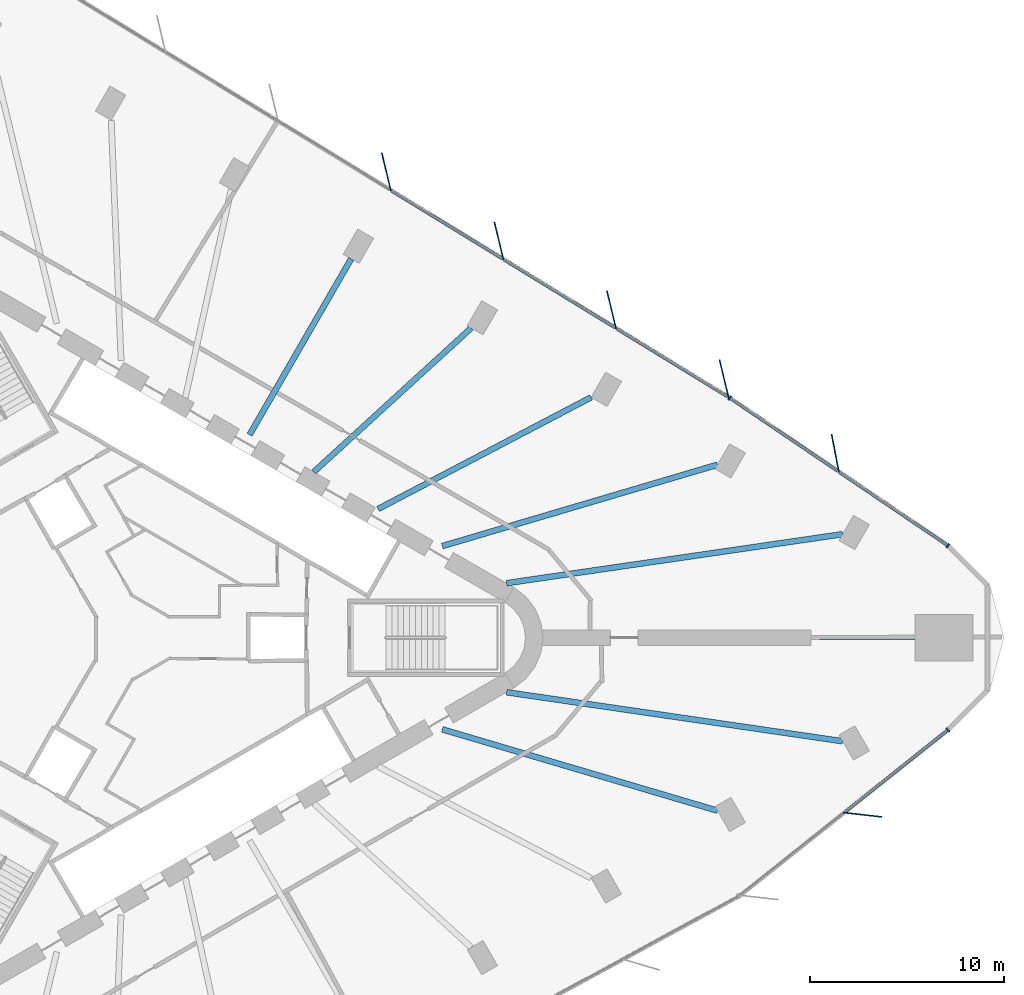
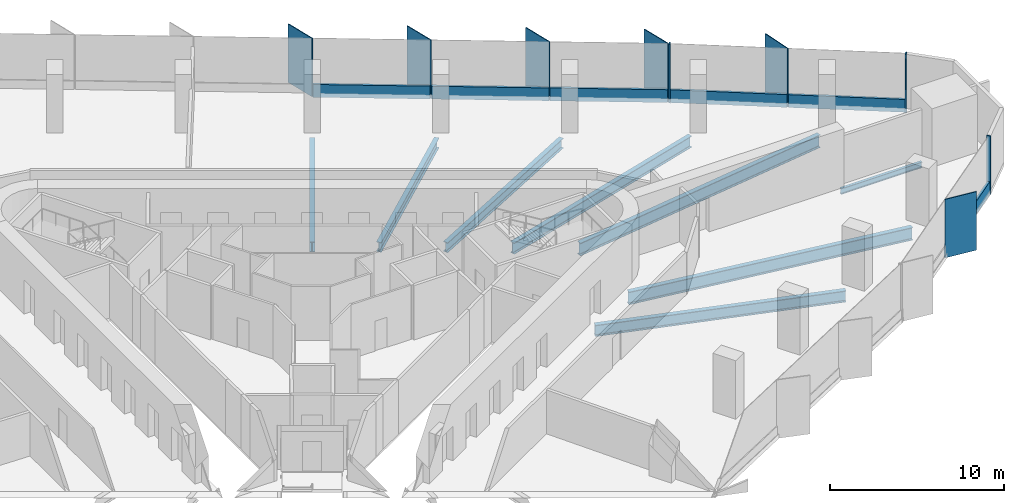
# One storey, part 5 of 13: 15 members, 8 beams, 3 elements without a shape of their own.
"""IFC4 building model written with IfcOpenShell, lengths in metres."""

from ifc_helpers import new_model, si_unit, direction, frame, origin, origin_2d, place, context, subcontext, project, spatial, rectangle, i_section, extrude, material, material_profile, profile_set, type_object, element, aggregate, save


model = new_model("IFC4")

# Units and contexts
model_context = context("Model", 3, precision=1e-05, world=origin(), true_north=direction((0.0, 1.0)))
body_context = subcontext(model_context, "Body", "Model", "MODEL_VIEW")
ifc_project = project(units=[si_unit("LENGTHUNIT", "METRE"), si_unit("AREAUNIT", "SQUARE_METRE"), si_unit("VOLUMEUNIT", "CUBIC_METRE"), si_unit("PLANEANGLEUNIT", "RADIAN"), si_unit("MASSUNIT", "GRAM", prefix="KILO")], contexts=[model_context])

# Site, building, storey
site_placement = place(None, origin())
site = spatial("IfcSite", under=ifc_project, at=site_placement, CompositionType="ELEMENT")
building_placement = place(site_placement, origin())
building = spatial("IfcBuilding", under=site, at=building_placement, Name="Tanit Gate Tower", CompositionType="ELEMENT")
storey_placement = place(building_placement, frame((0.0, 0.0, 66.0)))
storey = spatial("IfcBuildingStorey", under=building, at=storey_placement, Name="L12", CompositionType="ELEMENT", Elevation=66.0)

# Curtain wall, member
ifc_material_1 = material(Name="Aluminium bronze anodised and glass", Category="aluminium")
curtain_wall_type = type_object("IfcCurtainWallType", Name="Curtain wall typical low", PredefinedType="NOTDEFINED", material=ifc_material_1)
curtain_wall_1_placement = place(storey_placement, origin())
curtain_wall_1 = element("IfcCurtainWall", 1, at=curtain_wall_1_placement, inside=storey, type_object=curtain_wall_type, Name="Curtain wall L12 NE1", PredefinedType="NOTDEFINED")
ifc_material_2 = material(Name="Aluminium bronze anodised", Category="aluminium")
ifc_material_profile_1 = material_profile(ifc_material_2, rectangle(XDim=2.0, YDim=0.055908203125, at=origin_2d()), Name="56x2000 bronze fin mullion")
ifc_profile_set_1 = profile_set([ifc_material_profile_1], Name="Aluminium bronze anodised")
member_type_1 = type_object("IfcMemberType", Name="FIN MULLION 56x2000 bronze", PredefinedType="MULLION", material=ifc_profile_set_1)
member_1_placement = place(storey_placement, frame((36.299072265625, 9.5302734375, -0.300048828125), z_axis=(0.0, 0.0, 1.0), x_axis=(0.189172819388, -0.981943809189, 0.0)))
member_1 = element("IfcMember", 2, at=member_1_placement, type_object=member_type_1, Name="Fin mullion L12 NE1.2", PredefinedType="MULLION", context=body_context, shape_type="SweptSolid", body=[
    extrude(rectangle(XDim=2.0, YDim=0.055908203125, at=origin_2d()), origin(), (0.0, 0.0, 1.0), 4.10009765625),
])

# Curtain wall, members
curtain_wall_2_placement = place(storey_placement, origin())
curtain_wall_2 = element("IfcCurtainWall", 3, at=curtain_wall_2_placement, inside=storey, type_object=curtain_wall_type, Name="Curtain wall L12 NE2", PredefinedType="NOTDEFINED")
member_2_placement = place(storey_placement, frame((30.55615234375, 13.376708984375, -0.300048828125), z_axis=(0.0, 0.0, 1.0), x_axis=(0.233691416098, -0.972310815553, 0.0)))
member_2 = element("IfcMember", 4, at=member_2_placement, type_object=member_type_1, Name="Fin mullion L12 NE2.1", PredefinedType="MULLION", context=body_context, shape_type="SweptSolid", body=[
    extrude(rectangle(XDim=2.0, YDim=0.055908203125, at=origin_2d()), origin(), (0.0, 0.0, 1.0), 4.10009765625),
])
member_3_placement = place(storey_placement, frame((24.7421875, 16.9375, -0.300048828125), z_axis=(0.0, 0.0, 1.0), x_axis=(0.233691416098, -0.972310815553, 0.0)))
member_3 = element("IfcMember", 5, at=member_3_placement, type_object=member_type_1, Name="Fin mullion L12 NE2.2", PredefinedType="MULLION", context=body_context, shape_type="SweptSolid", body=[
    extrude(rectangle(XDim=2.0, YDim=0.055908203125, at=origin_2d()), origin(), (0.0, 0.0, 1.0), 4.10009765625),
])
member_4_placement = place(storey_placement, frame((18.92822265625, 20.498291015625, -0.300048828125), z_axis=(0.0, 0.0, 1.0), x_axis=(0.233691416098, -0.972310815553, 0.0)))
member_4 = element("IfcMember", 6, at=member_4_placement, type_object=member_type_1, Name="Fin mullion L12 NE2.3", PredefinedType="MULLION", context=body_context, shape_type="SweptSolid", body=[
    extrude(rectangle(XDim=2.0, YDim=0.055908203125, at=origin_2d()), origin(), (0.0, 0.0, 1.0), 4.10009765625),
])
member_5_placement = place(storey_placement, frame((13.1142578125, 24.05908203125, -0.300048828125), z_axis=(0.0, 0.0, 1.0), x_axis=(0.233691416098, -0.972310815553, 0.0)))
member_5 = element("IfcMember", 7, at=member_5_placement, type_object=member_type_1, Name="Fin mullion L12 NE2.4", PredefinedType="MULLION", context=body_context, shape_type="SweptSolid", body=[
    extrude(rectangle(XDim=2.0, YDim=0.055908203125, at=origin_2d()), origin(), (0.0, 0.0, 1.0), 4.10009765625),
])

# Curtain wall, member
curtain_wall_3_placement = place(storey_placement, origin())
curtain_wall_3 = element("IfcCurtainWall", 8, at=curtain_wall_3_placement, inside=storey, type_object=curtain_wall_type, Name="Curtain wall L12 SE3", PredefinedType="NOTDEFINED")
member_6_placement = place(storey_placement, frame((37.71826171875, -9.143310546875, -0.300048828125), z_axis=(0.0, 0.0, 1.0), x_axis=(-0.993566182952, 0.113252991549, 0.0)))
member_6 = element("IfcMember", 9, at=member_6_placement, type_object=member_type_1, Name="Fin mullion L12 SE3.2", PredefinedType="MULLION", context=body_context, shape_type="SweptSolid", body=[
    extrude(rectangle(XDim=2.0, YDim=0.055908203125, at=origin_2d()), origin(), (0.0, 0.0, 1.0), 4.10009765625),
])

# Member
ifc_material_3 = material(Name="Aluminium bronze anodised", Category="aluminium")
ifc_material_profile_2 = material_profile(ifc_material_3, rectangle(XDim=0.239990234375, YDim=0.080078125, at=origin_2d()), Name="80x240 bronze mullion")
ifc_profile_set_2 = profile_set([ifc_material_profile_2], Name="Aluminium bronze anodised")
member_type_2 = type_object("IfcMemberType", Name="Mullion 80x240 typical low", PredefinedType="MULLION", material=ifc_profile_set_2)
member_7_placement = place(storey_placement, frame((42.115966796875, 4.758056640625, -0.300048828125), z_axis=(0.0, 0.0, 1.0), x_axis=(-0.560573742816, -0.828104509627, 0.0)))
member_7 = element("IfcMember", 10, at=member_7_placement, type_object=member_type_2, Name="Mullion L12 NE1.1", PredefinedType="MULLION", context=body_context, shape_type="SweptSolid", body=[
    extrude(rectangle(XDim=0.239990234375, YDim=0.080078125, at=origin_2d()), origin(), (0.0, 0.0, 1.0), 4.10009765625),
])

member_8_placement = place(storey_placement, frame((30.8515625, 12.38330078125, -0.300048828125), z_axis=(0.0, 0.0, 1.0), x_axis=(-0.560573742816, -0.828104509627, 0.0)))
member_8 = element("IfcMember", 11, at=member_8_placement, type_object=member_type_2, Name="Mullion L12 NE1.3", PredefinedType="MULLION", context=body_context, shape_type="SweptSolid", body=[
    extrude(rectangle(XDim=0.239990234375, YDim=0.080078125, at=origin_2d()), origin(), (0.0, 0.0, 1.0), 4.10009765625),
])

member_9_placement = place(storey_placement, frame((42.114501953125, -4.763671875, -0.300048828125), z_axis=(0.0, 0.0, 1.0), x_axis=(-0.622475427209, 0.782639343837, 0.0)))
member_9 = element("IfcMember", 12, at=member_9_placement, type_object=member_type_2, Name="Mullion L12 SE3.3", PredefinedType="MULLION", context=body_context, shape_type="SweptSolid", body=[
    extrude(rectangle(XDim=0.239990234375, YDim=0.080078125, at=origin_2d()), origin(), (0.0, 0.0, 1.0), 4.10009765625),
])

# Beams
ifc_material_4 = material(Name="Steel S355", Category="steel")
ifc_material_profile_3 = material_profile(ifc_material_4, i_section(OverallWidth=0.300048828125, OverallDepth=0.68994140625, WebThickness=0.014404296875, FlangeThickness=0.027099609375, FilletRadius=0.027099609375, at=origin_2d()), Name="HEA 700")
ifc_profile_set_3 = profile_set([ifc_material_profile_3], Name="Steel S355")
beam_type_1 = type_object("IfcBeamType", Name="RADIAL GIRDER HEA 700 S355", PredefinedType="BEAM", material=ifc_profile_set_3)
beam_1_placement = place(storey_placement, frame((23.688232421875, 12.413330078125, -0.64501953125), z_axis=(-0.885753028524, -0.464156840368, 0.0), x_axis=(0.464156840368, -0.885753028524, 0.0)))
element("IfcBeam", 13, at=beam_1_placement, inside=storey, type_object=beam_type_1, Name="RADIAL GIRDER", PredefinedType="BEAM", context=body_context, shape_type="SweptSolid", body=[
    extrude(i_section(OverallWidth=0.300048828125, OverallDepth=0.68994140625, WebThickness=0.014404296875, FlangeThickness=0.027099609375, FilletRadius=0.027099609375, at=origin_2d()), origin(), (0.0, 0.0, 1.0), 12.419189453125),
])
beam_2_placement = place(storey_placement, frame((17.492919921875, 15.990478515625, -0.64501953125), z_axis=(-0.738094457914, -0.674697392315, 0.0), x_axis=(0.674697392315, -0.738094457914, 0.0)))
element("IfcBeam", 14, at=beam_2_placement, inside=storey, type_object=beam_type_1, Name="RADIAL GIRDER", PredefinedType="BEAM", context=body_context, shape_type="SweptSolid", body=[
    extrude(i_section(OverallWidth=0.300048828125, OverallDepth=0.68994140625, WebThickness=0.014404296875, FlangeThickness=0.027099609375, FilletRadius=0.027099609375, at=origin_2d()), origin(), (0.0, 0.0, 1.0), 11.006103515625),
])
beam_3_placement = place(storey_placement, frame((11.29736328125, 19.5673828125, -0.64501953125), z_axis=(-0.500010476433, -0.866019355129, 0.0), x_axis=(0.866019355129, -0.500010476433, 0.0)))
element("IfcBeam", 15, at=beam_3_placement, inside=storey, type_object=beam_type_1, Name="RADIAL GIRDER", PredefinedType="BEAM", context=body_context, shape_type="SweptSolid", body=[
    extrude(i_section(OverallWidth=0.300048828125, OverallDepth=0.68994140625, WebThickness=0.014404296875, FlangeThickness=0.027099609375, FilletRadius=0.027099609375, at=origin_2d()), origin(), (0.0, 0.0, 1.0), 10.492431640625),
])
ifc_material_5 = material(Name="Steel S355", Category="steel")
ifc_material_profile_4 = material_profile(ifc_material_5, i_section(OverallWidth=0.300048828125, OverallDepth=0.7900390625, WebThickness=0.014892578125, FlangeThickness=0.028076171875, FilletRadius=0.030029296875, at=origin_2d()), Name="HEA 800")
ifc_profile_set_4 = profile_set([ifc_material_profile_4], Name="Steel S355")
beam_type_2 = type_object("IfcBeamType", Name="RADIAL GIRDER HEA 800 S355", PredefinedType="BEAM", material=ifc_profile_set_4)
for number, where, z_axis, x_axis, name in (
    (16, (30.21435546875, -8.93408203125, -0.695068359375), (-0.958956219652, 0.283554172585, 0.0), (-0.283554172585, -0.958956219652, 0.0), "RADIAL GIRDER"),
    (17, (30.21435546875, 8.93408203125, -0.695068359375), (-0.958956219652, -0.283554172585, 0.0), (0.283554172585, -0.958956219652, 0.0), "RADIAL GIRDER"),
):
    element("IfcBeam", number, at=place(storey_placement, frame(where, z_axis=z_axis, x_axis=x_axis)), inside=storey, type_object=beam_type_2, Name=name, PredefinedType="BEAM", context=body_context, shape_type="SweptSolid", body=[
        extrude(i_section(OverallWidth=0.300048828125, OverallDepth=0.7900390625, WebThickness=0.014892578125, FlangeThickness=0.028076171875, FilletRadius=0.030029296875, at=origin_2d()), origin(), (0.0, 0.0, 1.0), 14.816162109375),
    ])
ifc_material_6 = material(Name="Steel S355", Category="steel")
ifc_material_profile_5 = material_profile(ifc_material_6, i_section(OverallWidth=0.300048828125, OverallDepth=0.889892578125, WebThickness=0.01611328125, FlangeThickness=0.030029296875, FilletRadius=0.030029296875, at=origin_2d()), Name="HEA 900")
ifc_profile_set_5 = profile_set([ifc_material_profile_5], Name="Steel S355")
beam_type_3 = type_object("IfcBeamType", Name="RADIAL GIRDER HEA 900 S355", PredefinedType="BEAM", material=ifc_profile_set_5)
for number, where, z_axis, x_axis, name in (
    (18, (36.677978515625, -5.3466796875, -0.7451171875), (-0.989542297622, 0.14424299365, 0.0), (-0.14424299365, -0.989542297622, 0.0), "RADIAL GIRDER"),
    (19, (36.677978515625, 5.3466796875, -0.7451171875), (-0.989542297622, -0.14424299365, 0.0), (0.14424299365, -0.989542297622, 0.0), "RADIAL GIRDER"),
):
    element("IfcBeam", number, at=place(storey_placement, frame(where, z_axis=z_axis, x_axis=x_axis)), inside=storey, type_object=beam_type_3, Name=name, PredefinedType="BEAM", context=body_context, shape_type="SweptSolid", body=[
        extrude(i_section(OverallWidth=0.300048828125, OverallDepth=0.889892578125, WebThickness=0.01611328125, FlangeThickness=0.030029296875, FilletRadius=0.030029296875, at=origin_2d()), origin(), (0.0, 0.0, 1.0), 17.53662109375),
    ])
ifc_material_7 = material(Name="Steel S355", Category="steel")
ifc_material_profile_6 = material_profile(ifc_material_7, i_section(OverallWidth=0.179931640625, OverallDepth=0.39990234375, WebThickness=0.008544921875, FlangeThickness=0.013427734375, FilletRadius=0.02099609375, at=origin_2d()), Name="IPE 400")
ifc_profile_set_6 = profile_set([ifc_material_profile_6], Name="Steel S355")
beam_type_4 = type_object("IfcBeamType", Name="RADIAL GIRDER IPE 400 S355", PredefinedType="BEAM", material=ifc_profile_set_6)
beam_4_placement = place(storey_placement, frame((40.41357421875, 0.0, -0.5), z_axis=(-1.0, 0.0, 0.0), x_axis=(0.0, -1.0, 0.0)))
element("IfcBeam", 20, at=beam_4_placement, inside=storey, type_object=beam_type_4, Name="RADIAL GIRDER", PredefinedType="BEAM", context=body_context, shape_type="SweptSolid", body=[
    extrude(i_section(OverallWidth=0.179931640625, OverallDepth=0.39990234375, WebThickness=0.008544921875, FlangeThickness=0.013427734375, FilletRadius=0.02099609375, at=origin_2d()), origin(), (0.0, 0.0, 1.0), 5.3798828125),
])

# Member
ifc_material_8 = material(Name="Aluminium bronze anodised", Category="aluminium")
ifc_material_profile_7 = material_profile(ifc_material_8, rectangle(XDim=0.159912109375, YDim=0.89990234375, at=origin_2d()), Name="160x900 bronze transom")
ifc_profile_set_7 = profile_set([ifc_material_profile_7], Name="Aluminium bronze anodised")
member_type_3 = type_object("IfcMemberType", Name="Transom 160x900 typical low", PredefinedType="USERDEFINED", material=ifc_profile_set_7)
member_10_placement = place(storey_placement, frame((42.0830078125, 4.7802734375, 0.14990234375), z_axis=(-0.828100911484, 0.560579058116, 0.0), x_axis=(-0.560579058116, -0.828100911484, 0.0)))
member_10 = element("IfcMember", 21, at=member_10_placement, type_object=member_type_3, Name="Transom L12 NE1.1", ObjectType="TRANSOM", PredefinedType="USERDEFINED", context=body_context, shape_type="SweptSolid", body=[
    extrude(rectangle(XDim=0.159912109375, YDim=0.89990234375, at=origin_2d()), origin(), (0.0, 0.0, 1.0), 6.72119140625),
])

member_11_placement = place(storey_placement, frame((36.45068359375, 8.593017578125, 0.14990234375), z_axis=(-0.828100911484, 0.560579058116, 0.0), x_axis=(-0.560579058116, -0.828100911484, 0.0)))
member_11 = element("IfcMember", 22, at=member_11_placement, type_object=member_type_3, Name="Transom L12 NE1.2", ObjectType="TRANSOM", PredefinedType="USERDEFINED", context=body_context, shape_type="SweptSolid", body=[
    extrude(rectangle(XDim=0.159912109375, YDim=0.89990234375, at=origin_2d()), origin(), (0.0, 0.0, 1.0), 6.72119140625),
])

aggregate(curtain_wall_1, [member_7, member_1, member_8, member_10, member_11])

member_12_placement = place(storey_placement, frame((30.750244140625, 12.447509765625, 0.14990234375), z_axis=(-0.852779833847, 0.52227057641, 0.0), x_axis=(-0.52227057641, -0.852779833847, 0.0)))
member_12 = element("IfcMember", 23, at=member_12_placement, type_object=member_type_3, Name="Transom L12 NE2.1", ObjectType="TRANSOM", PredefinedType="USERDEFINED", context=body_context, shape_type="SweptSolid", body=[
    extrude(rectangle(XDim=0.159912109375, YDim=0.89990234375, at=origin_2d()), origin(), (0.0, 0.0, 1.0), 6.737548828125),
])

member_13_placement = place(storey_placement, frame((24.936279296875, 16.008056640625, 0.14990234375), z_axis=(-0.852763694856, 0.522296927749, 0.0), x_axis=(-0.522296927749, -0.852763694856, 0.0)))
member_13 = element("IfcMember", 24, at=member_13_placement, type_object=member_type_3, Name="Transom L12 NE2.2", ObjectType="TRANSOM", PredefinedType="USERDEFINED", context=body_context, shape_type="SweptSolid", body=[
    extrude(rectangle(XDim=0.159912109375, YDim=0.89990234375, at=origin_2d()), origin(), (0.0, 0.0, 1.0), 6.737548828125),
])

member_14_placement = place(storey_placement, frame((19.12255859375, 19.56884765625, 0.14990234375), z_axis=(-0.852773579198, 0.522280789061, 0.0), x_axis=(-0.522280789061, -0.852773579198, 0.0)))
member_14 = element("IfcMember", 25, at=member_14_placement, type_object=member_type_3, Name="Transom L12 NE2.3", ObjectType="TRANSOM", PredefinedType="USERDEFINED", context=body_context, shape_type="SweptSolid", body=[
    extrude(rectangle(XDim=0.159912109375, YDim=0.89990234375, at=origin_2d()), origin(), (0.0, 0.0, 1.0), 6.73779296875),
])

aggregate(curtain_wall_2, [member_2, member_3, member_4, member_5, member_12, member_13, member_14])

member_15_placement = place(storey_placement, frame((36.778564453125, -9.0078125, 0.14990234375), z_axis=(0.782629768597, 0.622487465983, 0.0), x_axis=(-0.622487465983, 0.782629768597, 0.0)))
member_15 = element("IfcMember", 26, at=member_15_placement, type_object=member_type_3, Name="Transom L12 SE3.2", ObjectType="TRANSOM", PredefinedType="USERDEFINED", context=body_context, shape_type="SweptSolid", body=[
    extrude(rectangle(XDim=0.159912109375, YDim=0.89990234375, at=origin_2d()), origin(), (0.0, 0.0, 1.0), 6.778076171875),
])

aggregate(curtain_wall_3, [member_6, member_9, member_15])

save(model, "model.ifc")
